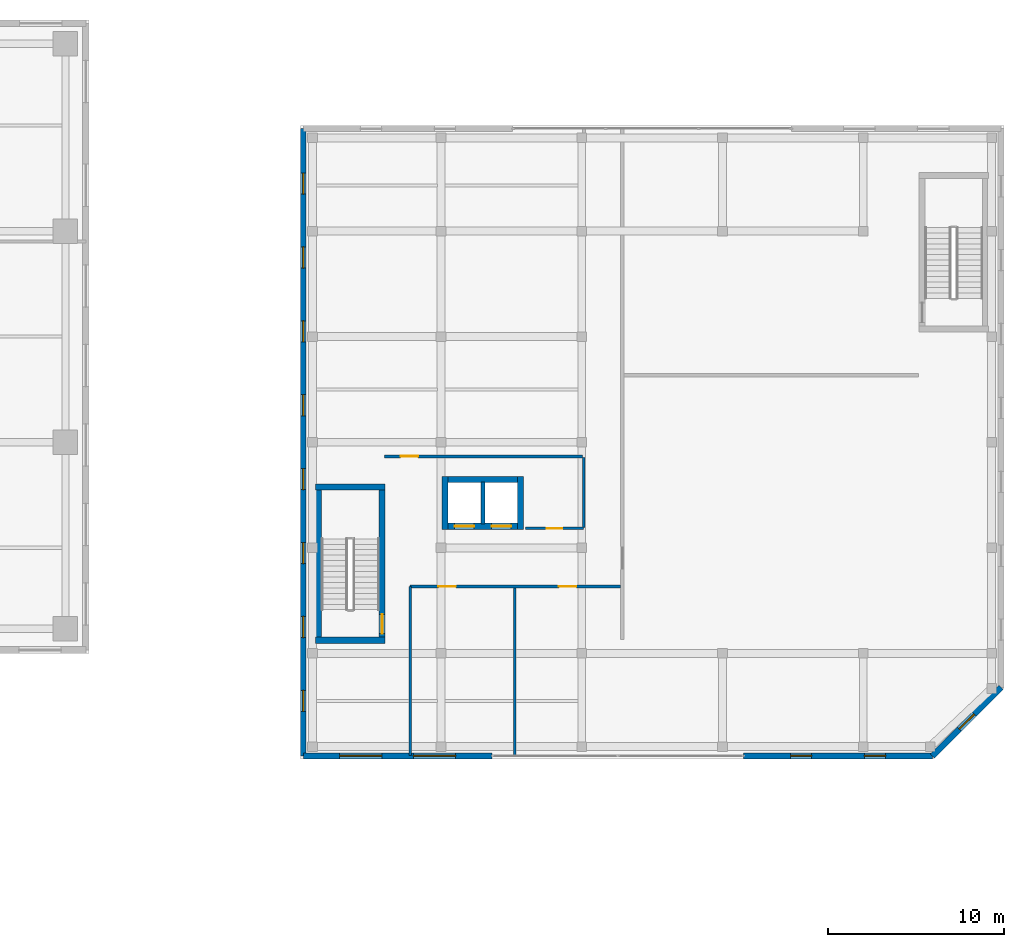
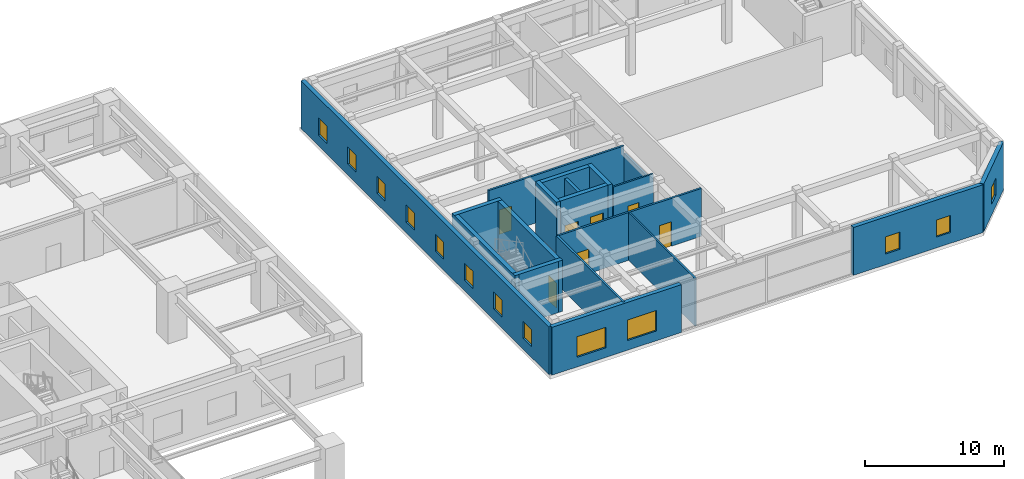
# One storey, part 22 of 26: 19 walls, 13 windows, 7 doors, 20 openings.
"""IFC4 building model written with IfcOpenShell, lengths in metres."""

import ifcopenshell
import ifcopenshell.guid

model = None  # the IFC model being written
_history = None  # IfcOwnerHistory: only IFC2X3 demands one
_inside = {}  # id of a spatial element -> (the spatial element, [elements in it])
_under = {}  # id of a project, library or spatial element -> (it, [spatial elements below it])
_declared = {}  # id of a project -> (the project, [libraries it declares])
_typed = {}  # id of a type object -> (the type object, [elements of that type])
_made_of = {}  # id of a material, layer set ... -> (it, [elements and type objects made of it])


def new_model(schema):
    """Start an empty IFC model of exactly this schema.

    Asked for "IFC4X3", IfcOpenShell would pick the latest addendum, in which some entities
    have other attributes; the version numbers below select the first issue.
    IFC2X3 requires an IfcOwnerHistory on every rooted entity: one is made here for all.
    """
    global model, _history
    if schema == "IFC4X3":
        model = ifcopenshell.file(schema_version=(4, 3, 0, 0))
    else:
        model = ifcopenshell.file(schema=schema)
    _inside.clear()
    _under.clear()
    _declared.clear()
    _typed.clear()
    _made_of.clear()
    _history = None
    if model.schema == "IFC2X3":
        org = make("IfcOrganization", Name="unknown")
        user = make(
            "IfcPersonAndOrganization",
            ThePerson=make("IfcPerson", FamilyName="unknown"),
            TheOrganization=org,
        )
        app = make(
            "IfcApplication",
            ApplicationDeveloper=org,
            Version="unknown",
            ApplicationFullName="unknown",
            ApplicationIdentifier="unknown",
        )
        _history = make(
            "IfcOwnerHistory",
            OwningUser=user,
            OwningApplication=app,
            ChangeAction="ADDED",
            CreationDate=0,
        )
    return model


def make(cls, **values):
    """One entity of the class cls with the attributes given. An attribute that is None is left unset."""
    return model.create_entity(
        cls, **{name: value for name, value in values.items() if value is not None}
    )


def rooted(cls, **values):
    """An entity with a GlobalId (a new one), such as an element, a storey or a relation."""
    return make(cls, GlobalId=ifcopenshell.guid.new(), OwnerHistory=_history, **values)


def si_unit(unit_type, name, prefix=None):
    """IfcSIUnit, for example si_unit("LENGTHUNIT", "METRE", prefix="MILLI")."""
    return make("IfcSIUnit", UnitType=unit_type, Prefix=prefix, Name=name)


def assignment(units):
    """IfcUnitAssignment: the units of a project."""
    return None if units is None else make("IfcUnitAssignment", Units=units)


def point(xyz):
    """IfcCartesianPoint."""
    return None if xyz is None else make("IfcCartesianPoint", Coordinates=xyz)


def direction(xyz):
    """IfcDirection."""
    return None if xyz is None else make("IfcDirection", DirectionRatios=xyz)


def frame(location, z_axis=None, x_axis=None):
    """IfcAxis2Placement3D, a coordinate frame: its origin and axes. An axis left out is left unset."""
    return make(
        "IfcAxis2Placement3D",
        Location=point(location),
        Axis=direction(z_axis),
        RefDirection=direction(x_axis),
    )


def frame_2d(location, x_axis=None):
    """IfcAxis2Placement2D, a coordinate frame in the plane: its origin and x axis."""
    return make(
        "IfcAxis2Placement2D", Location=point(location), RefDirection=direction(x_axis)
    )


def origin():
    """The frame at (0, 0, 0) with its axes left unset."""
    return frame((0.0, 0.0, 0.0))


def place(relative_to, where):
    """IfcLocalPlacement: puts the frame where relative to a parent placement (None: the world)."""
    return make(
        "IfcLocalPlacement", PlacementRelTo=relative_to, RelativePlacement=where
    )


def context(
    kind, dimensions, precision=None, world=None, true_north=None, identifier=None
):
    """IfcGeometricRepresentationContext, for example the 3D "Model" context."""
    return make(
        "IfcGeometricRepresentationContext",
        ContextIdentifier=identifier,
        ContextType=kind,
        CoordinateSpaceDimension=dimensions,
        Precision=precision,
        WorldCoordinateSystem=world,
        TrueNorth=true_north,
    )


def subcontext(parent, identifier, kind, view, scale=None):
    """IfcGeometricRepresentationSubContext, for example "Body" below "Model"."""
    return make(
        "IfcGeometricRepresentationSubContext",
        ContextIdentifier=identifier,
        ContextType=kind,
        ParentContext=parent,
        TargetScale=scale,
        TargetView=view,
    )


def project(units=None, contexts=None):
    """IfcProject with its units and contexts."""
    return rooted(
        "IfcProject",
        Name="project",
        RepresentationContexts=contexts,
        UnitsInContext=assignment(units),
    )


def spatial(cls, under=None, at=None, **own):
    """A site, building, storey or space (cls), placed at a placement, below another one or the project."""
    s = rooted(cls, ObjectPlacement=at, **own)
    if under is not None:
        _under.setdefault(under.id(), (under, []))[1].append(s)
    return s


def profile(cls, at=None, kind="AREA", **sizes):
    """A parametric profile (cls). Its sizes go by their IFC names, for example OverallWidth=200.0."""
    return make(cls, ProfileType=kind, Position=at, **sizes)


def rectangle(**sizes):
    """IfcRectangleProfileDef."""
    return profile("IfcRectangleProfileDef", **sizes)


def extrude(swept, where, along, depth):
    """IfcExtrudedAreaSolid: the profile swept, set in the frame where, extruded along a direction by depth."""
    return make(
        "IfcExtrudedAreaSolid",
        SweptArea=swept,
        Position=where,
        ExtrudedDirection=direction(along),
        Depth=depth,
    )


def shape(context_of_items, identifier, shape_type, items):
    """IfcShapeRepresentation: the items that make up one representation, for example the "Body"."""
    return make(
        "IfcShapeRepresentation",
        ContextOfItems=context_of_items,
        RepresentationIdentifier=identifier,
        RepresentationType=shape_type,
        Items=items,
    )


def source(mapping_origin, context_of_items, identifier, shape_type, items):
    """IfcRepresentationMap: a shape defined once, which mapped items show again and again."""
    return make(
        "IfcRepresentationMap",
        MappingOrigin=mapping_origin,
        MappedRepresentation=shape(context_of_items, identifier, shape_type, items),
    )


def transform(
    local_origin,
    x_axis=None,
    y_axis=None,
    z_axis=None,
    scale=None,
    scale2=None,
    scale3=None,
    uniform=True,
):
    """IfcCartesianTransformationOperator3D, or its non-uniform kind. x_axis, y_axis, z_axis: its Axis1, 2, 3."""
    if uniform:
        return make(
            "IfcCartesianTransformationOperator3D",
            Axis1=direction(x_axis),
            Axis2=direction(y_axis),
            LocalOrigin=point(local_origin),
            Scale=scale,
            Axis3=direction(z_axis),
        )
    return make(
        "IfcCartesianTransformationOperator3DnonUniform",
        Axis1=direction(x_axis),
        Axis2=direction(y_axis),
        LocalOrigin=point(local_origin),
        Scale=scale,
        Axis3=direction(z_axis),
        Scale2=scale2,
        Scale3=scale3,
    )


def mapped(mapping_source, mapping_target):
    """IfcMappedItem: shows the shape of a source again, moved by a transform."""
    return make(
        "IfcMappedItem", MappingSource=mapping_source, MappingTarget=mapping_target
    )


def material(Name=None, Category=None):
    """IfcMaterial."""
    return make("IfcMaterial", Name=Name, Category=Category)


def layer(
    of_material, thickness, ventilated=None, Name=None, Category=None, Priority=None
):
    """IfcMaterialLayer: one layer of a wall or slab, of a material (None: an air gap)."""
    return make(
        "IfcMaterialLayer",
        Material=of_material,
        LayerThickness=thickness,
        IsVentilated=ventilated,
        Name=Name,
        Category=Category,
        Priority=Priority,
    )


def layer_set(layers, Name=None):
    """IfcMaterialLayerSet."""
    return make("IfcMaterialLayerSet", MaterialLayers=layers, LayerSetName=Name)


def made_of(thing, what):
    """Note that an element or type object is made of a material, layer set ...; save() writes the relation."""
    if what is not None:
        _made_of.setdefault(what.id(), (what, []))[1].append(thing)
    return thing


def type_object(cls, material=None, **own):
    """A type object (cls), such as IfcWallType, which elements share."""
    return made_of(rooted(cls, **own), material)


def element(
    cls,
    number,
    at=None,
    inside=None,
    cuts=None,
    type_object=None,
    material=None,
    context=None,
    identifier="Body",
    shape_type=None,
    held_by="IfcProductDefinitionShape",
    body=None,
    shapes=None,
    **own,
):
    """One element of the class cls, such as IfcWall. Its Tag is "e" and its number.

    at: its placement. inside: the storey or other place that contains it. cuts: it is an
    opening in that element (IfcRelVoidsElement). A single representation is given by context,
    identifier, shape_type and body (its items); several are given by shapes. held_by: the class
    of the entity that holds the representations. save() writes the other relations.
    """
    e = rooted(cls, Tag="e%d" % number, ObjectPlacement=at, **own)
    if body is not None:
        shapes = [shape(context, identifier, shape_type, body)]
    if shapes is not None:
        e.Representation = make(held_by, Representations=shapes)
    if inside is not None:
        _inside.setdefault(inside.id(), (inside, []))[1].append(e)
    if cuts is not None:
        rooted(
            "IfcRelVoidsElement", RelatingBuildingElement=cuts, RelatedOpeningElement=e
        )
    if type_object is not None:
        _typed.setdefault(type_object.id(), (type_object, []))[1].append(e)
    return made_of(e, material)


def fill(opening, filler):
    """IfcRelFillsElement: the door or window that sits in an opening."""
    return rooted(
        "IfcRelFillsElement",
        RelatingOpeningElement=opening,
        RelatedBuildingElement=filler,
    )


def aggregate(whole, parts):
    """IfcRelAggregates: a whole, such as a stair, and the parts it consists of."""
    return rooted("IfcRelAggregates", RelatingObject=whole, RelatedObjects=parts)


def save(model, path):
    """Write the relations noted so far, then the file.

    IfcRelAggregates (storeys below a building ...), IfcRelContainedInSpatialStructure (elements
    in a storey), IfcRelDefinesByType, IfcRelAssociatesMaterial and IfcRelDeclares: one each for
    every whole, place, type object, material and project.
    """
    for whole, parts in _under.values():
        aggregate(whole, parts)
    for where, things in _inside.values():
        rooted(
            "IfcRelContainedInSpatialStructure",
            RelatedElements=things,
            RelatingStructure=where,
        )
    for kind, things in _typed.values():
        rooted("IfcRelDefinesByType", RelatedObjects=things, RelatingType=kind)
    for what, things in _made_of.values():
        rooted("IfcRelAssociatesMaterial", RelatedObjects=things, RelatingMaterial=what)
    for by, libraries in _declared.values():
        rooted("IfcRelDeclares", RelatingContext=by, RelatedDefinitions=libraries)
    model.write(path)


model = new_model("IFC4")

# Units and contexts
model_context = context("Model", 3, precision=1e-05, world=origin(), true_north=direction((0.0, 1.0)))
body_context = subcontext(model_context, "Body", "Model", "MODEL_VIEW")
ifc_project = project(units=[si_unit("LENGTHUNIT", "METRE"), si_unit("AREAUNIT", "SQUARE_METRE"), si_unit("VOLUMEUNIT", "CUBIC_METRE"), si_unit("PLANEANGLEUNIT", "RADIAN"), si_unit("MASSUNIT", "GRAM", prefix="KILO")], contexts=[model_context])

# Site, building, storey
site_placement = place(None, origin())
site = spatial("IfcSite", under=ifc_project, at=site_placement, CompositionType="ELEMENT")
building_placement = place(site_placement, origin())
building = spatial("IfcBuilding", under=site, at=building_placement, Name="Khoralis Quay Care Tower", CompositionType="ELEMENT")
storey_placement = place(building_placement, frame((0.0, 0.0, 13.5)))
storey = spatial("IfcBuildingStorey", under=building, at=storey_placement, Name="L03", CompositionType="ELEMENT", Elevation=13.5)

# Wall, openings, doors
ifc_material_1 = material(Name="Gypsum plasterboard on acoustic metal stud")
ifc_layer_1 = layer(ifc_material_1, 0.1650390625)
ifc_layer_set_1 = layer_set([ifc_layer_1], Name="Gypsum plasterboard on acoustic metal stud")
wall_type_1 = type_object("IfcWallType", Name="WL-CORR-165", PredefinedType="PARTITIONING", material=ifc_layer_set_1)
wall_1_placement = place(storey_placement, frame((74.25, 15.800048828125, 0.0), z_axis=(0.0, 0.0, 1.0), x_axis=(1.0, 0.0, 0.0)))
wall_1 = element("IfcWall", 1, at=wall_1_placement, inside=storey, type_object=wall_type_1, Name="L03 School Corridor South Wall", PredefinedType="PARTITIONING", context=body_context, shape_type="SweptSolid", body=[
    extrude(rectangle(XDim=11.955078125, YDim=0.1650390625, at=frame_2d((5.9775390625, 0.0))), origin(), (0.0, 0.0, 1.0), 4.199951171875),
])
opening_1_placement = place(wall_1_placement, frame((1.60009765625, 0.0, 0.0)))
opening_1 = element("IfcOpeningElement", 2, at=opening_1_placement, cuts=wall_1, Name="Opening SCD1", PredefinedType="OPENING", context=body_context, shape_type="SweptSolid", body=[
    extrude(rectangle(XDim=1.0, YDim=2.14990234375, at=frame_2d((0.5, 1.074951171875))), frame((0.0, 0.092529296875, 0.0), z_axis=(0.0, -1.0, 0.0), x_axis=(1.0, 0.0, 0.0)), (0.0, 0.0, 1.0), 0.18505859375),
])
opening_2_placement = place(wall_1_placement, frame((8.449951171875, 0.0, 0.0)))
opening_2 = element("IfcOpeningElement", 3, at=opening_2_placement, cuts=wall_1, Name="Opening SCD1", PredefinedType="OPENING", context=body_context, shape_type="SweptSolid", body=[
    extrude(rectangle(XDim=1.0, YDim=2.14990234375, at=frame_2d((0.5, 1.074951171875))), frame((0.0, 0.092529296875, 0.0), z_axis=(0.0, -1.0, 0.0), x_axis=(1.0, 0.0, 0.0)), (0.0, 0.0, 1.0), 0.18505859375),
])
ifc_material_2 = material(Name="Acoustic hardwood timber", Category="wood")
door_type_1 = type_object("IfcDoorType", Name="DR-SCH-1000X2150", OperationType="NOTDEFINED", PredefinedType="DOOR", material=ifc_material_2)
shared_shape_1 = source(origin(), body_context, "Body", "SweptSolid", [
    extrude(rectangle(XDim=1.0, YDim=2.14990234375, at=frame_2d((0.5, 1.074951171875))), frame((0.0, 0.02490234375, 0.0), z_axis=(0.0, -1.0, 0.0), x_axis=(1.0, 0.0, 0.0)), (0.0, 0.0, 1.0), 0.050048828125),
])
door_1_placement = place(opening_1_placement, frame((1.0, 0.0, 0.0), z_axis=(0.0, 0.0, 1.0), x_axis=(-1.0, 0.0, 0.0)))
door_1 = element("IfcDoor", 4, at=door_1_placement, inside=storey, type_object=door_type_1, Name="L03 Music & Drama Atelier Door", OperationType="SINGLE_SWING_LEFT", OverallHeight=2.14990234375, OverallWidth=1.0, PredefinedType="DOOR", context=body_context, shape_type="MappedRepresentation", body=[
    mapped(shared_shape_1, transform((0.0, 0.0, 0.0), scale=1.0)),
])
fill(opening_1, door_1)
door_2_placement = place(opening_2_placement, frame((1.0, 0.0, 0.0), z_axis=(0.0, 0.0, 1.0), x_axis=(-1.0, 0.0, 0.0)))
door_2 = element("IfcDoor", 5, at=door_2_placement, inside=storey, type_object=door_type_1, Name="L03 Primary Classroom Door", OperationType="SINGLE_SWING_RIGHT", OverallHeight=2.14990234375, OverallWidth=1.0, PredefinedType="DOOR", context=body_context, shape_type="MappedRepresentation", body=[
    mapped(shared_shape_1, transform((0.0, 0.0, 0.0), scale=1.0)),
])
fill(opening_2, door_2)

# Wall, opening, door
wall_2_placement = place(storey_placement, frame((72.800048828125, 23.199951171875, 0.0), z_axis=(0.0, 0.0, 1.0), x_axis=(1.0, 0.0, 0.0)))
wall_2 = element("IfcWall", 6, at=wall_2_placement, inside=storey, type_object=wall_type_1, Name="L03 School Corridor North Wall", PredefinedType="PARTITIONING", context=body_context, shape_type="SweptSolid", body=[
    extrude(rectangle(XDim=11.242431640625, YDim=0.1650390625, at=frame_2d((5.62109375, 0.0))), origin(), (0.0, 0.0, 1.0), 4.199951171875),
])
opening_3_placement = place(wall_2_placement, frame((0.89990234375, 0.0, 0.0)))
opening_3 = element("IfcOpeningElement", 7, at=opening_3_placement, cuts=wall_2, Name="Opening SCD1", PredefinedType="OPENING", context=body_context, shape_type="SweptSolid", body=[
    extrude(rectangle(XDim=1.0, YDim=2.14990234375, at=frame_2d((0.5, 1.074951171875))), frame((0.0, 0.092529296875, 0.0), z_axis=(0.0, -1.0, 0.0), x_axis=(1.0, 0.0, 0.0)), (0.0, 0.0, 1.0), 0.18505859375),
])
door_3_placement = place(opening_3_placement, origin())
door_3 = element("IfcDoor", 8, at=door_3_placement, inside=storey, type_object=door_type_1, Name="Seminar Classroom Door", OperationType="SINGLE_SWING_LEFT", OverallHeight=2.14990234375, OverallWidth=1.0, PredefinedType="DOOR", context=body_context, shape_type="MappedRepresentation", body=[
    mapped(shared_shape_1, transform((0.0, 0.0, 0.0), scale=1.0)),
])
fill(opening_3, door_3)

# Wall
wall_3_placement = place(storey_placement, frame((74.25, 6.18505859375, 0.0), z_axis=(0.0, 0.0, 1.0), x_axis=(0.0, 1.0, 0.0)))
element("IfcWall", 9, at=wall_3_placement, inside=storey, type_object=wall_type_1, Name="L03 School Stair Vestibule East Wall", PredefinedType="PARTITIONING", context=body_context, shape_type="SweptSolid", body=[
    extrude(rectangle(XDim=9.614990234375, YDim=0.1650390625, at=frame_2d((4.8076171875, 0.0))), origin(), (0.0, 0.0, 1.0), 4.199951171875),
])

# Wall, openings, windows
ifc_material_3 = material(Name="Precast concrete C40/50", Category="concrete")
ifc_layer_2 = layer(ifc_material_3, 0.340087890625)
ifc_layer_set_2 = layer_set([ifc_layer_2], Name="Precast concrete C40/50")
wall_type_2 = type_object("IfcWallType", Name="WL-EXT-SCH-340", PredefinedType="SOLIDWALL", material=ifc_layer_set_2)
wall_4_placement = place(storey_placement, frame((68.169921875, 6.169921875, 0.0), z_axis=(0.0, 0.0, 1.0), x_axis=(1.0, 0.0, 0.0)))
wall_4 = element("IfcWall", 10, at=wall_4_placement, inside=storey, type_object=wall_type_2, Name="L03 External Facade Wall WL-SCH-L03-E0A", PredefinedType="SOLIDWALL", context=body_context, shape_type="SweptSolid", body=[
    extrude(rectangle(XDim=10.72802734375, YDim=0.340087890625, at=frame_2d((5.364013671875, 0.0))), origin(), (0.0, 0.0, 1.0), 4.199951171875),
])
opening_4_placement = place(wall_4_placement, frame((2.06396484375, 0.0, 0.85009765625)))
opening_4 = element("IfcOpeningElement", 11, at=opening_4_placement, cuts=wall_4, Name="Opening W4", PredefinedType="OPENING", context=body_context, shape_type="SweptSolid", body=[
    extrude(rectangle(XDim=2.39990234375, YDim=1.800048828125, at=frame_2d((1.199951171875, 0.89990234375))), frame((0.0, 0.18017578125, 0.0), z_axis=(0.0, -1.0, 0.0), x_axis=(1.0, 0.0, 0.0)), (0.0, 0.0, 1.0), 0.360107421875),
])
opening_5_placement = place(wall_4_placement, frame((6.263916015625, 0.0, 0.85009765625)))
opening_5 = element("IfcOpeningElement", 12, at=opening_5_placement, cuts=wall_4, Name="Opening W4", PredefinedType="OPENING", context=body_context, shape_type="SweptSolid", body=[
    extrude(rectangle(XDim=2.39990234375, YDim=1.800048828125, at=frame_2d((1.199951171875, 0.89990234375))), frame((0.0, 0.18017578125, 0.0), z_axis=(0.0, -1.0, 0.0), x_axis=(1.0, 0.0, 0.0)), (0.0, 0.0, 1.0), 0.360107421875),
])
ifc_material_4 = material(Name="Low-E solar-control double glazing", Category="glass")
window_type_1 = type_object("IfcWindowType", Name="WN-SCH-2400X1800", PartitioningType="SINGLE_PANEL", PredefinedType="WINDOW", material=ifc_material_4)
shared_shape_2 = source(origin(), body_context, "Body", "SweptSolid", [
    extrude(rectangle(XDim=2.39990234375, YDim=1.800048828125, at=frame_2d((1.199951171875, 0.89990234375))), frame((0.0, 0.030029296875, 0.0), z_axis=(0.0, -1.0, 0.0), x_axis=(1.0, 0.0, 0.0)), (0.0, 0.0, 1.0), 0.06005859375),
])
window_1_placement = place(opening_4_placement, origin())
window_1 = element("IfcWindow", 13, at=window_1_placement, inside=storey, type_object=window_type_1, Name="WN-SCH-L03-0A Classroom Window 01", OverallHeight=1.800048828125, OverallWidth=2.39990234375, PartitioningType="SINGLE_PANEL", PredefinedType="WINDOW", context=body_context, shape_type="MappedRepresentation", body=[
    mapped(shared_shape_2, transform((0.0, 0.0, 0.0), scale=1.0)),
])
fill(opening_4, window_1)
window_2_placement = place(opening_5_placement, origin())
window_2 = element("IfcWindow", 14, at=window_2_placement, inside=storey, type_object=window_type_1, Name="WN-SCH-L03-0A Classroom Window 02", OverallHeight=1.800048828125, OverallWidth=2.39990234375, PartitioningType="SINGLE_PANEL", PredefinedType="WINDOW", context=body_context, shape_type="MappedRepresentation", body=[
    mapped(shared_shape_2, transform((0.0, 0.0, 0.0), scale=1.0)),
])
fill(opening_5, window_2)

wall_5_placement = place(storey_placement, frame((93.201904296875, 6.169921875, 0.0), z_axis=(0.0, 0.0, 1.0), x_axis=(1.0, 0.0, 0.0)))
wall_5 = element("IfcWall", 15, at=wall_5_placement, inside=storey, type_object=wall_type_2, Name="L03 External Facade Wall WL-SCH-L03-E0B", PredefinedType="SOLIDWALL", context=body_context, shape_type="SweptSolid", body=[
    extrude(rectangle(XDim=10.727783203125, YDim=0.340087890625, at=frame_2d((5.36376953125, 0.0))), origin(), (0.0, 0.0, 1.0), 4.199951171875),
])
opening_6_placement = place(wall_5_placement, frame((2.663818359375, 0.0, 0.949951171875)))
opening_6 = element("IfcOpeningElement", 16, at=opening_6_placement, cuts=wall_5, Name="Opening W6", PredefinedType="OPENING", context=body_context, shape_type="SweptSolid", body=[
    extrude(rectangle(XDim=1.199951171875, YDim=1.5, at=frame_2d((0.60009765625, 0.75))), frame((0.0, 0.18017578125, 0.0), z_axis=(0.0, -1.0, 0.0), x_axis=(1.0, 0.0, 0.0)), (0.0, 0.0, 1.0), 0.360107421875),
])
opening_7_placement = place(wall_5_placement, frame((6.86376953125, 0.0, 0.949951171875)))
opening_7 = element("IfcOpeningElement", 17, at=opening_7_placement, cuts=wall_5, Name="Opening W6", PredefinedType="OPENING", context=body_context, shape_type="SweptSolid", body=[
    extrude(rectangle(XDim=1.199951171875, YDim=1.5, at=frame_2d((0.60009765625, 0.75))), frame((0.0, 0.18017578125, 0.0), z_axis=(0.0, -1.0, 0.0), x_axis=(1.0, 0.0, 0.0)), (0.0, 0.0, 1.0), 0.360107421875),
])
window_type_2 = type_object("IfcWindowType", Name="WN-SCH-1200X1500", PartitioningType="SINGLE_PANEL", PredefinedType="WINDOW", material=ifc_material_4)
shared_shape_3 = source(origin(), body_context, "Body", "SweptSolid", [
    extrude(rectangle(XDim=1.199951171875, YDim=1.5, at=frame_2d((0.60009765625, 0.75))), frame((0.0, 0.030029296875, 0.0), z_axis=(0.0, -1.0, 0.0), x_axis=(1.0, 0.0, 0.0)), (0.0, 0.0, 1.0), 0.06005859375),
])
window_3_placement = place(opening_6_placement, origin())
window_3 = element("IfcWindow", 18, at=window_3_placement, inside=storey, type_object=window_type_2, Name="WN-SCH-L03-0B Classroom Window 01", OverallHeight=1.5, OverallWidth=1.199951171875, PartitioningType="SINGLE_PANEL", PredefinedType="WINDOW", context=body_context, shape_type="MappedRepresentation", body=[
    mapped(shared_shape_3, transform((0.0, 0.0, 0.0), scale=1.0)),
])
fill(opening_6, window_3)
window_4_placement = place(opening_7_placement, origin())
window_4 = element("IfcWindow", 19, at=window_4_placement, inside=storey, type_object=window_type_2, Name="WN-SCH-L03-0B Classroom Window 02", OverallHeight=1.5, OverallWidth=1.199951171875, PartitioningType="SINGLE_PANEL", PredefinedType="WINDOW", context=body_context, shape_type="MappedRepresentation", body=[
    mapped(shared_shape_3, transform((0.0, 0.0, 0.0), scale=1.0)),
])
fill(opening_7, window_4)

# Wall, opening, window
wall_6_placement = place(storey_placement, frame((103.9296875, 6.169921875, 0.0), z_axis=(0.0, 0.0, 1.0), x_axis=(0.707106781187, 0.707106781187, 0.0)))
wall_6 = element("IfcWall", 20, at=wall_6_placement, inside=storey, type_object=wall_type_2, Name="L03 External Facade Wall WL-SCH-L03-E1", PredefinedType="SOLIDWALL", context=body_context, shape_type="SweptSolid", body=[
    extrude(rectangle(XDim=5.515869140625, YDim=0.340087890625, at=frame_2d((2.7578125, 0.0))), origin(), (0.0, 0.0, 1.0), 4.199951171875),
])
opening_8_placement = place(wall_6_placement, frame((2.157958984375, 0.0, 0.949951171875)))
opening_8 = element("IfcOpeningElement", 21, at=opening_8_placement, cuts=wall_6, Name="Opening W6", PredefinedType="OPENING", context=body_context, shape_type="SweptSolid", body=[
    extrude(rectangle(XDim=1.199951171875, YDim=1.5, at=frame_2d((0.60009765625, 0.75))), frame((0.0, 0.18017578125, 0.0), z_axis=(0.0, -1.0, 0.0), x_axis=(1.0, 0.0, 0.0)), (0.0, 0.0, 1.0), 0.360107421875),
])
window_5_placement = place(opening_8_placement, origin())
window_5 = element("IfcWindow", 22, at=window_5_placement, inside=storey, type_object=window_type_2, Name="WN-SCH-L03-E1 Classroom Window 01", OverallHeight=1.5, OverallWidth=1.199951171875, PartitioningType="SINGLE_PANEL", PredefinedType="WINDOW", context=body_context, shape_type="MappedRepresentation", body=[
    mapped(shared_shape_3, transform((0.0, 0.0, 0.0), scale=1.0)),
])
fill(opening_8, window_5)

# Wall, openings, windows
wall_7_placement = place(storey_placement, frame((68.169921875, 41.830078125, 0.0), z_axis=(0.0, 0.0, 1.0), x_axis=(0.0, -1.0, 0.0)))
wall_7 = element("IfcWall", 23, at=wall_7_placement, inside=storey, type_object=wall_type_2, Name="L03 External Facade Wall WL-SCH-L03-E4", PredefinedType="SOLIDWALL", context=body_context, shape_type="SweptSolid", body=[
    extrude(rectangle(XDim=35.66015625, YDim=0.340087890625, at=frame_2d((17.830078125, 0.0))), origin(), (0.0, 0.0, 1.0), 4.199951171875),
])
opening_9_placement = place(wall_7_placement, frame((2.530029296875, 0.0, 0.949951171875)))
opening_9 = element("IfcOpeningElement", 24, at=opening_9_placement, cuts=wall_7, Name="Opening W6", PredefinedType="OPENING", context=body_context, shape_type="SweptSolid", body=[
    extrude(rectangle(XDim=1.199951171875, YDim=1.5, at=frame_2d((0.60009765625, 0.75))), frame((0.0, 0.18017578125, 0.0), z_axis=(0.0, -1.0, 0.0), x_axis=(1.0, 0.0, 0.0)), (0.0, 0.0, 1.0), 0.360107421875),
])
opening_10_placement = place(wall_7_placement, frame((6.72998046875, 0.0, 0.949951171875)))
opening_10 = element("IfcOpeningElement", 25, at=opening_10_placement, cuts=wall_7, Name="Opening W6", PredefinedType="OPENING", context=body_context, shape_type="SweptSolid", body=[
    extrude(rectangle(XDim=1.199951171875, YDim=1.5, at=frame_2d((0.60009765625, 0.75))), frame((0.0, 0.18017578125, 0.0), z_axis=(0.0, -1.0, 0.0), x_axis=(1.0, 0.0, 0.0)), (0.0, 0.0, 1.0), 0.360107421875),
])
opening_11_placement = place(wall_7_placement, frame((10.929931640625, 0.0, 0.949951171875)))
opening_11 = element("IfcOpeningElement", 26, at=opening_11_placement, cuts=wall_7, Name="Opening W6", PredefinedType="OPENING", context=body_context, shape_type="SweptSolid", body=[
    extrude(rectangle(XDim=1.199951171875, YDim=1.5, at=frame_2d((0.60009765625, 0.75))), frame((0.0, 0.18017578125, 0.0), z_axis=(0.0, -1.0, 0.0), x_axis=(1.0, 0.0, 0.0)), (0.0, 0.0, 1.0), 0.360107421875),
])
opening_12_placement = place(wall_7_placement, frame((15.1298828125, 0.0, 0.949951171875)))
opening_12 = element("IfcOpeningElement", 27, at=opening_12_placement, cuts=wall_7, Name="Opening W6", PredefinedType="OPENING", context=body_context, shape_type="SweptSolid", body=[
    extrude(rectangle(XDim=1.199951171875, YDim=1.5, at=frame_2d((0.60009765625, 0.75))), frame((0.0, 0.18017578125, 0.0), z_axis=(0.0, -1.0, 0.0), x_axis=(1.0, 0.0, 0.0)), (0.0, 0.0, 1.0), 0.360107421875),
])
opening_13_placement = place(wall_7_placement, frame((19.330078125, 0.0, 0.949951171875)))
opening_13 = element("IfcOpeningElement", 28, at=opening_13_placement, cuts=wall_7, Name="Opening W6", PredefinedType="OPENING", context=body_context, shape_type="SweptSolid", body=[
    extrude(rectangle(XDim=1.199951171875, YDim=1.5, at=frame_2d((0.60009765625, 0.75))), frame((0.0, 0.18017578125, 0.0), z_axis=(0.0, -1.0, 0.0), x_axis=(1.0, 0.0, 0.0)), (0.0, 0.0, 1.0), 0.360107421875),
])
opening_14_placement = place(wall_7_placement, frame((23.530029296875, 0.0, 0.949951171875)))
opening_14 = element("IfcOpeningElement", 29, at=opening_14_placement, cuts=wall_7, Name="Opening W6", PredefinedType="OPENING", context=body_context, shape_type="SweptSolid", body=[
    extrude(rectangle(XDim=1.199951171875, YDim=1.5, at=frame_2d((0.60009765625, 0.75))), frame((0.0, 0.18017578125, 0.0), z_axis=(0.0, -1.0, 0.0), x_axis=(1.0, 0.0, 0.0)), (0.0, 0.0, 1.0), 0.360107421875),
])
opening_15_placement = place(wall_7_placement, frame((27.72998046875, 0.0, 0.949951171875)))
opening_15 = element("IfcOpeningElement", 30, at=opening_15_placement, cuts=wall_7, Name="Opening W6", PredefinedType="OPENING", context=body_context, shape_type="SweptSolid", body=[
    extrude(rectangle(XDim=1.199951171875, YDim=1.5, at=frame_2d((0.60009765625, 0.75))), frame((0.0, 0.18017578125, 0.0), z_axis=(0.0, -1.0, 0.0), x_axis=(1.0, 0.0, 0.0)), (0.0, 0.0, 1.0), 0.360107421875),
])
opening_16_placement = place(wall_7_placement, frame((31.929931640625, 0.0, 0.949951171875)))
opening_16 = element("IfcOpeningElement", 31, at=opening_16_placement, cuts=wall_7, Name="Opening W6", PredefinedType="OPENING", context=body_context, shape_type="SweptSolid", body=[
    extrude(rectangle(XDim=1.199951171875, YDim=1.5, at=frame_2d((0.60009765625, 0.75))), frame((0.0, 0.18017578125, 0.0), z_axis=(0.0, -1.0, 0.0), x_axis=(1.0, 0.0, 0.0)), (0.0, 0.0, 1.0), 0.360107421875),
])
window_6_placement = place(opening_9_placement, origin())
window_6 = element("IfcWindow", 32, at=window_6_placement, inside=storey, type_object=window_type_2, Name="WN-SCH-L03-E4 Classroom Window 01", OverallHeight=1.5, OverallWidth=1.199951171875, PartitioningType="SINGLE_PANEL", PredefinedType="WINDOW", context=body_context, shape_type="MappedRepresentation", body=[
    mapped(shared_shape_3, transform((0.0, 0.0, 0.0), scale=1.0)),
])
fill(opening_9, window_6)
window_7_placement = place(opening_10_placement, origin())
window_7 = element("IfcWindow", 33, at=window_7_placement, inside=storey, type_object=window_type_2, Name="WN-SCH-L03-E4 Classroom Window 02", OverallHeight=1.5, OverallWidth=1.199951171875, PartitioningType="SINGLE_PANEL", PredefinedType="WINDOW", context=body_context, shape_type="MappedRepresentation", body=[
    mapped(shared_shape_3, transform((0.0, 0.0, 0.0), scale=1.0)),
])
fill(opening_10, window_7)
window_8_placement = place(opening_11_placement, origin())
window_8 = element("IfcWindow", 34, at=window_8_placement, inside=storey, type_object=window_type_2, Name="WN-SCH-L03-E4 Classroom Window 03", OverallHeight=1.5, OverallWidth=1.199951171875, PartitioningType="SINGLE_PANEL", PredefinedType="WINDOW", context=body_context, shape_type="MappedRepresentation", body=[
    mapped(shared_shape_3, transform((0.0, 0.0, 0.0), scale=1.0)),
])
fill(opening_11, window_8)
window_9_placement = place(opening_12_placement, origin())
window_9 = element("IfcWindow", 35, at=window_9_placement, inside=storey, type_object=window_type_2, Name="WN-SCH-L03-E4 Classroom Window 04", OverallHeight=1.5, OverallWidth=1.199951171875, PartitioningType="SINGLE_PANEL", PredefinedType="WINDOW", context=body_context, shape_type="MappedRepresentation", body=[
    mapped(shared_shape_3, transform((0.0, 0.0, 0.0), scale=1.0)),
])
fill(opening_12, window_9)
window_10_placement = place(opening_13_placement, origin())
window_10 = element("IfcWindow", 36, at=window_10_placement, inside=storey, type_object=window_type_2, Name="WN-SCH-L03-E4 Classroom Window 05", OverallHeight=1.5, OverallWidth=1.199951171875, PartitioningType="SINGLE_PANEL", PredefinedType="WINDOW", context=body_context, shape_type="MappedRepresentation", body=[
    mapped(shared_shape_3, transform((0.0, 0.0, 0.0), scale=1.0)),
])
fill(opening_13, window_10)
window_11_placement = place(opening_14_placement, origin())
window_11 = element("IfcWindow", 37, at=window_11_placement, inside=storey, type_object=window_type_2, Name="WN-SCH-L03-E4 Classroom Window 06", OverallHeight=1.5, OverallWidth=1.199951171875, PartitioningType="SINGLE_PANEL", PredefinedType="WINDOW", context=body_context, shape_type="MappedRepresentation", body=[
    mapped(shared_shape_3, transform((0.0, 0.0, 0.0), scale=1.0)),
])
fill(opening_14, window_11)
window_12_placement = place(opening_15_placement, origin())
window_12 = element("IfcWindow", 38, at=window_12_placement, inside=storey, type_object=window_type_2, Name="WN-SCH-L03-E4 Classroom Window 07", OverallHeight=1.5, OverallWidth=1.199951171875, PartitioningType="SINGLE_PANEL", PredefinedType="WINDOW", context=body_context, shape_type="MappedRepresentation", body=[
    mapped(shared_shape_3, transform((0.0, 0.0, 0.0), scale=1.0)),
])
fill(opening_15, window_12)
window_13_placement = place(opening_16_placement, origin())
window_13 = element("IfcWindow", 39, at=window_13_placement, inside=storey, type_object=window_type_2, Name="WN-SCH-L03-E4 Classroom Window 08", OverallHeight=1.5, OverallWidth=1.199951171875, PartitioningType="SINGLE_PANEL", PredefinedType="WINDOW", context=body_context, shape_type="MappedRepresentation", body=[
    mapped(shared_shape_3, transform((0.0, 0.0, 0.0), scale=1.0)),
])
fill(opening_16, window_13)

# Wall, opening, door
ifc_material_5 = material(Name="Moisture-resistant gypsum and ceramic tile")
ifc_layer_3 = layer(ifc_material_5, 0.280029296875)
ifc_layer_set_3 = layer_set([ifc_layer_3], Name="Moisture-resistant gypsum and ceramic tile")
wall_type_3 = type_object("IfcWallType", Name="WL-PLUMB-280", PredefinedType="PLUMBINGWALL", material=ifc_layer_set_3)
wall_8_placement = place(storey_placement, frame((80.800048828125, 19.10009765625, 0.0), z_axis=(0.0, 0.0, 1.0), x_axis=(1.0, 0.0, 0.0)))
wall_8 = element("IfcWall", 40, at=wall_8_placement, inside=storey, type_object=wall_type_3, Name="L03 School WC South Wall", PredefinedType="PLUMBINGWALL", context=body_context, shape_type="SweptSolid", body=[
    extrude(rectangle(XDim=3.300048828125, YDim=0.139892578125, at=frame_2d((1.64990234375, 0.0))), origin(), (0.0, 0.0, 1.0), 4.199951171875),
])
opening_17_placement = place(wall_8_placement, frame((1.199951171875, 0.0, 0.0)))
opening_17 = element("IfcOpeningElement", 41, at=opening_17_placement, cuts=wall_8, Name="Opening WD1", PredefinedType="OPENING", context=body_context, shape_type="SweptSolid", body=[
    extrude(rectangle(XDim=0.89990234375, YDim=2.10009765625, at=frame_2d((0.449951171875, 1.050048828125))), frame((0.0, 0.080078125, 0.0), z_axis=(0.0, -1.0, 0.0), x_axis=(1.0, 0.0, 0.0)), (0.0, 0.0, 1.0), 0.159912109375),
])
door_type_2 = type_object("IfcDoorType", Name="DR-BATH-900X2100", OperationType="NOTDEFINED", PredefinedType="DOOR", material=ifc_material_2)
shared_shape_4 = source(origin(), body_context, "Body", "SweptSolid", [
    extrude(rectangle(XDim=0.89990234375, YDim=2.10009765625, at=frame_2d((0.449951171875, 1.050048828125))), frame((0.0, 0.02490234375, 0.0), z_axis=(0.0, -1.0, 0.0), x_axis=(1.0, 0.0, 0.0)), (0.0, 0.0, 1.0), 0.050048828125),
])
door_4_placement = place(opening_17_placement, frame((0.89990234375, 0.0, 0.0), z_axis=(0.0, 0.0, 1.0), x_axis=(-1.0, 0.0, 0.0)))
door_4 = element("IfcDoor", 42, at=door_4_placement, inside=storey, type_object=door_type_2, Name="L03 School Accessible WC Door", OperationType="SINGLE_SWING_LEFT", OverallHeight=2.10009765625, OverallWidth=0.89990234375, PredefinedType="DOOR", context=body_context, shape_type="MappedRepresentation", body=[
    mapped(shared_shape_4, transform((0.0, 0.0, 0.0), scale=1.0)),
])
fill(opening_17, door_4)

# Wall
wall_9_placement = place(storey_placement, frame((84.10009765625, 19.1650390625, 0.0), z_axis=(0.0, 0.0, 1.0), x_axis=(0.0, 1.0, 0.0)))
element("IfcWall", 43, at=wall_9_placement, inside=storey, type_object=wall_type_3, Name="L03 School WC East Wall", PredefinedType="PLUMBINGWALL", context=body_context, shape_type="SweptSolid", body=[
    extrude(rectangle(XDim=3.95751953125, YDim=0.139892578125, at=frame_2d((1.978759765625, 0.0))), origin(), (0.0, 0.0, 1.0), 3.550048828125),
])

# Wall, opening, door
ifc_material_6 = material(Name="Concrete C40/50", Category="concrete")
ifc_layer_4 = layer(ifc_material_6, 0.35009765625)
ifc_layer_set_4 = layer_set([ifc_layer_4], Name="Concrete C40/50")
wall_type_4 = type_object("IfcWallType", Name="WL-SC-CORE-350", PredefinedType="SHEAR", material=ifc_layer_set_4)
wall_10_placement = place(storey_placement, frame((72.655029296875, 12.570068359375, 0.0), z_axis=(0.0, 0.0, 1.0), x_axis=(0.0, 1.0, 0.0)))
wall_10 = element("IfcWall", 44, at=wall_10_placement, inside=storey, type_object=wall_type_4, Name="L03 School Stair ST-S1 East Shear Wall", PredefinedType="SHEAR", context=body_context, shape_type="SweptSolid", body=[
    extrude(rectangle(XDim=9.059814453125, YDim=0.35009765625, at=frame_2d((4.52978515625, 0.0))), origin(), (0.0, 0.0, 1.0), 4.5),
])
opening_18_placement = place(wall_10_placement, frame((0.550048828125, 0.0, 0.0)))
opening_18 = element("IfcOpeningElement", 45, at=opening_18_placement, cuts=wall_10, Name="Opening SD1", PredefinedType="OPENING", context=body_context, shape_type="SweptSolid", body=[
    extrude(rectangle(XDim=1.10009765625, YDim=2.199951171875, at=frame_2d((0.550048828125, 1.10009765625))), frame((0.0, 0.18505859375, 0.0), z_axis=(0.0, -1.0, 0.0), x_axis=(1.0, 0.0, 0.0)), (0.0, 0.0, 1.0), 0.3701171875),
])
ifc_material_7 = material(Name="Fire-rated painted steel", Category="steel")
door_type_3 = type_object("IfcDoorType", Name="DR-STAIR-1100X2200", OperationType="NOTDEFINED", PredefinedType="DOOR", material=ifc_material_7)
shared_shape_5 = source(origin(), body_context, "Body", "SweptSolid", [
    extrude(rectangle(XDim=1.10009765625, YDim=2.199951171875, at=frame_2d((0.550048828125, 1.10009765625))), frame((0.0, 0.02490234375, 0.0), z_axis=(0.0, -1.0, 0.0), x_axis=(1.0, 0.0, 0.0)), (0.0, 0.0, 1.0), 0.050048828125),
])
door_5_placement = place(opening_18_placement, origin())
door_5 = element("IfcDoor", 46, at=door_5_placement, inside=storey, type_object=door_type_3, Name="L03 School Stair ST-S1 Door", OperationType="SINGLE_SWING_LEFT", OverallHeight=2.199951171875, OverallWidth=1.10009765625, PredefinedType="DOOR", context=body_context, shape_type="MappedRepresentation", body=[
    mapped(shared_shape_5, transform((0.0, 0.0, 0.0), scale=1.0)),
])
fill(opening_18, door_5)

# Walls
for number, where, z_axis, x_axis, name in (
    (47, (68.8701171875, 12.7451171875, 0.0), (0.0, 0.0, 1.0), (1.0, 0.0, 0.0), "L03 School Stair ST-S1 South Shear Wall"),
    (48, (68.8701171875, 21.455078125, 0.0), (0.0, 0.0, 1.0), (1.0, 0.0, 0.0), "L03 School Stair ST-S1 North Shear Wall"),
):
    element("IfcWall", number, at=place(storey_placement, frame(where, z_axis=z_axis, x_axis=x_axis)), inside=storey, type_object=wall_type_4, Name=name, PredefinedType="SHEAR", context=body_context, shape_type="SweptSolid", body=[
        extrude(rectangle(XDim=3.9599609375, YDim=0.35009765625, at=frame_2d((1.97998046875, 0.0))), origin(), (0.0, 0.0, 1.0), 4.5),
    ])
wall_11_placement = place(storey_placement, frame((69.044921875, 12.570068359375, 0.0), z_axis=(0.0, 0.0, 1.0), x_axis=(0.0, 1.0, 0.0)))
element("IfcWall", 49, at=wall_11_placement, inside=storey, type_object=wall_type_4, Name="L03 School Stair ST-S1 West Shear Wall", PredefinedType="SHEAR", context=body_context, shape_type="SweptSolid", body=[
    extrude(rectangle(XDim=9.059814453125, YDim=0.35009765625, at=frame_2d((4.52978515625, 0.0))), origin(), (0.0, 0.0, 1.0), 4.5),
])
for number, where, z_axis, x_axis, name in (
    (50, (76.22509765625, 19.050048828125, 0.0), (0.0, 0.0, 1.0), (0.0, 1.0, 0.0), "WL-SCCORE-L03-W"),
    (51, (80.52490234375, 19.050048828125, 0.0), (0.0, 0.0, 1.0), (0.0, 1.0, 0.0), "WL-SCCORE-L03-E"),
):
    element("IfcWall", number, at=place(storey_placement, frame(where, z_axis=z_axis, x_axis=x_axis)), inside=storey, type_object=wall_type_4, Name=name, PredefinedType="SHEAR", context=body_context, shape_type="SweptSolid", body=[
        extrude(rectangle(XDim=3.0, YDim=0.35009765625, at=frame_2d((1.5, 0.0))), origin(), (0.0, 0.0, 1.0), 4.5),
    ])
wall_12_placement = place(storey_placement, frame((76.39990234375, 21.875, 0.0), z_axis=(0.0, 0.0, 1.0), x_axis=(1.0, 0.0, 0.0)))
element("IfcWall", 52, at=wall_12_placement, inside=storey, type_object=wall_type_4, Name="WL-SCCORE-L03-N", PredefinedType="SHEAR", context=body_context, shape_type="SweptSolid", body=[
    extrude(rectangle(XDim=3.9501953125, YDim=0.35009765625, at=frame_2d((1.97509765625, 0.0))), origin(), (0.0, 0.0, 1.0), 4.5),
])

# Wall, openings, doors
wall_13_placement = place(storey_placement, frame((76.39990234375, 19.22509765625, 0.0), z_axis=(0.0, 0.0, 1.0), x_axis=(1.0, 0.0, 0.0)))
wall_13 = element("IfcWall", 53, at=wall_13_placement, inside=storey, type_object=wall_type_4, Name="WL-SCCORE-L03-S", PredefinedType="SHEAR", context=body_context, shape_type="SweptSolid", body=[
    extrude(rectangle(XDim=3.9501953125, YDim=0.35009765625, at=frame_2d((1.97509765625, 0.0))), origin(), (0.0, 0.0, 1.0), 4.5),
])
opening_19_placement = place(wall_13_placement, frame((0.3798828125, 0.0, 0.0)))
opening_19 = element("IfcOpeningElement", 54, at=opening_19_placement, cuts=wall_13, Name="Opening LD1", PredefinedType="OPENING", context=body_context, shape_type="SweptSolid", body=[
    extrude(rectangle(XDim=1.10009765625, YDim=2.199951171875, at=frame_2d((0.550048828125, 1.10009765625))), frame((0.0, 0.18505859375, 0.0), z_axis=(0.0, -1.0, 0.0), x_axis=(1.0, 0.0, 0.0)), (0.0, 0.0, 1.0), 0.3701171875),
])
opening_20_placement = place(wall_13_placement, frame((2.47998046875, 0.0, 0.0)))
opening_20 = element("IfcOpeningElement", 55, at=opening_20_placement, cuts=wall_13, Name="Opening LD1", PredefinedType="OPENING", context=body_context, shape_type="SweptSolid", body=[
    extrude(rectangle(XDim=1.10009765625, YDim=2.199951171875, at=frame_2d((0.550048828125, 1.10009765625))), frame((0.0, 0.18505859375, 0.0), z_axis=(0.0, -1.0, 0.0), x_axis=(1.0, 0.0, 0.0)), (0.0, 0.0, 1.0), 0.3701171875),
])
ifc_material_8 = material(Name="Brushed stainless steel", Category="steel")
door_type_4 = type_object("IfcDoorType", Name="DR-LIFT-1100X2200", OperationType="SLIDING_TO_LEFT", PredefinedType="DOOR", material=ifc_material_8)
shared_shape_6 = source(origin(), body_context, "Body", "SweptSolid", [
    extrude(rectangle(XDim=1.10009765625, YDim=2.199951171875, at=frame_2d((0.550048828125, 1.10009765625))), frame((0.0, 0.02490234375, 0.0), z_axis=(0.0, -1.0, 0.0), x_axis=(1.0, 0.0, 0.0)), (0.0, 0.0, 1.0), 0.050048828125),
])
door_6_placement = place(opening_19_placement, origin())
door_6 = element("IfcDoor", 56, at=door_6_placement, inside=storey, type_object=door_type_4, Name="L03 School Lift 1 Door", OperationType="SLIDING_TO_LEFT", OverallHeight=2.199951171875, OverallWidth=1.10009765625, PredefinedType="DOOR", context=body_context, shape_type="MappedRepresentation", body=[
    mapped(shared_shape_6, transform((0.0, 0.0, 0.0), scale=1.0)),
])
fill(opening_19, door_6)
door_7_placement = place(opening_20_placement, origin())
door_7 = element("IfcDoor", 57, at=door_7_placement, inside=storey, type_object=door_type_4, Name="L03 School Lift 2 Door", OperationType="SLIDING_TO_RIGHT", OverallHeight=2.199951171875, OverallWidth=1.10009765625, PredefinedType="DOOR", context=body_context, shape_type="MappedRepresentation", body=[
    mapped(shared_shape_6, transform((0.0, 0.0, 0.0), scale=1.0)),
])
fill(opening_20, door_7)

# Walls
ifc_layer_5 = layer(ifc_material_1, 0.239990234375)
ifc_layer_set_5 = layer_set([ifc_layer_5], Name="Gypsum plasterboard on acoustic metal stud")
wall_type_5 = type_object("IfcWallType", Name="WL-SHAFT-240", PredefinedType="PARTITIONING", material=ifc_layer_set_5)
wall_14_placement = place(storey_placement, frame((78.3798828125, 19.35009765625, 0.0), z_axis=(0.0, 0.0, 1.0), x_axis=(0.0, 1.0, 0.0)))
element("IfcWall", 58, at=wall_14_placement, inside=storey, type_object=wall_type_5, Name="L03 School Lift Divider", PredefinedType="PARTITIONING", context=body_context, shape_type="SweptSolid", body=[
    extrude(rectangle(XDim=2.39990234375, YDim=0.239990234375, at=frame_2d((1.199951171875, 0.0))), origin(), (0.0, 0.0, 1.0), 4.199951171875),
])
ifc_layer_6 = layer(ifc_material_1, 0.139892578125)
ifc_layer_set_6 = layer_set([ifc_layer_6], Name="Gypsum plasterboard on acoustic metal stud")
wall_type_6 = type_object("IfcWallType", Name="WL-UNIT-140", PredefinedType="PARTITIONING", material=ifc_layer_set_6)
wall_15_placement = place(storey_placement, frame((80.199951171875, 6.18505859375, 0.0), z_axis=(0.0, 0.0, 1.0), x_axis=(0.0, 1.0, 0.0)))
element("IfcWall", 59, at=wall_15_placement, inside=storey, type_object=wall_type_6, Name="L03 School South Classroom Wall 1", PredefinedType="PARTITIONING", context=body_context, shape_type="SweptSolid", body=[
    extrude(rectangle(XDim=9.537353515625, YDim=0.139892578125, at=frame_2d((4.7685546875, 0.0))), origin(), (0.0, 0.0, 1.0), 4.199951171875),
])

save(model, "model.ifc")
